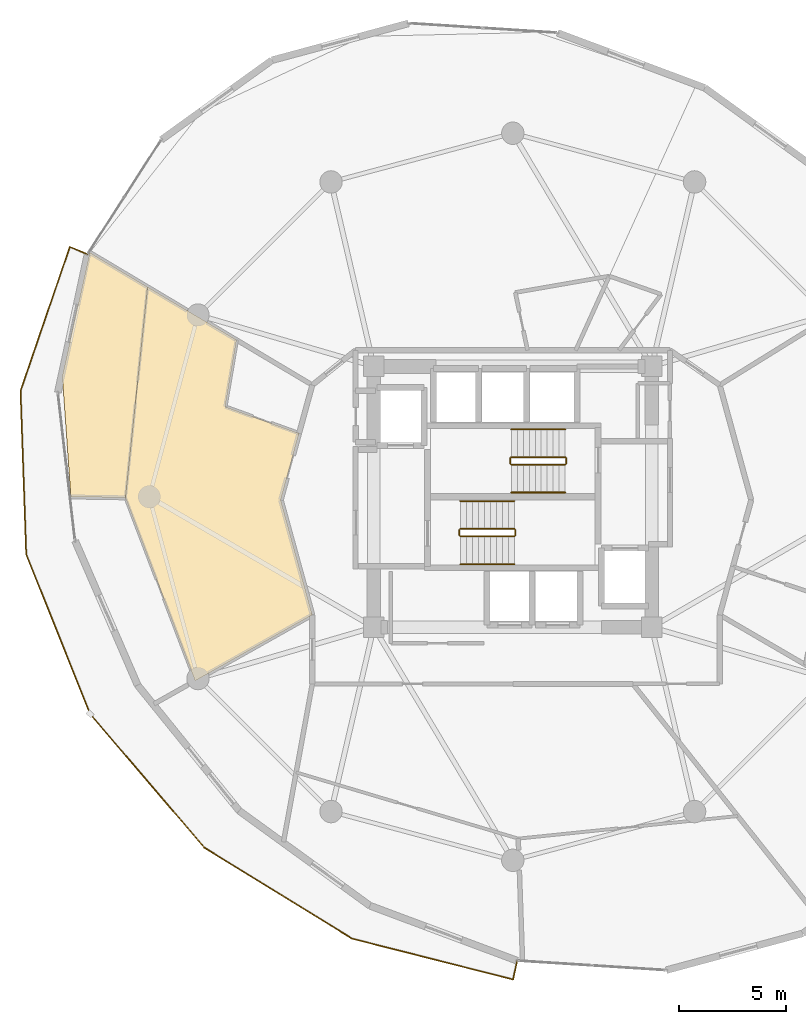
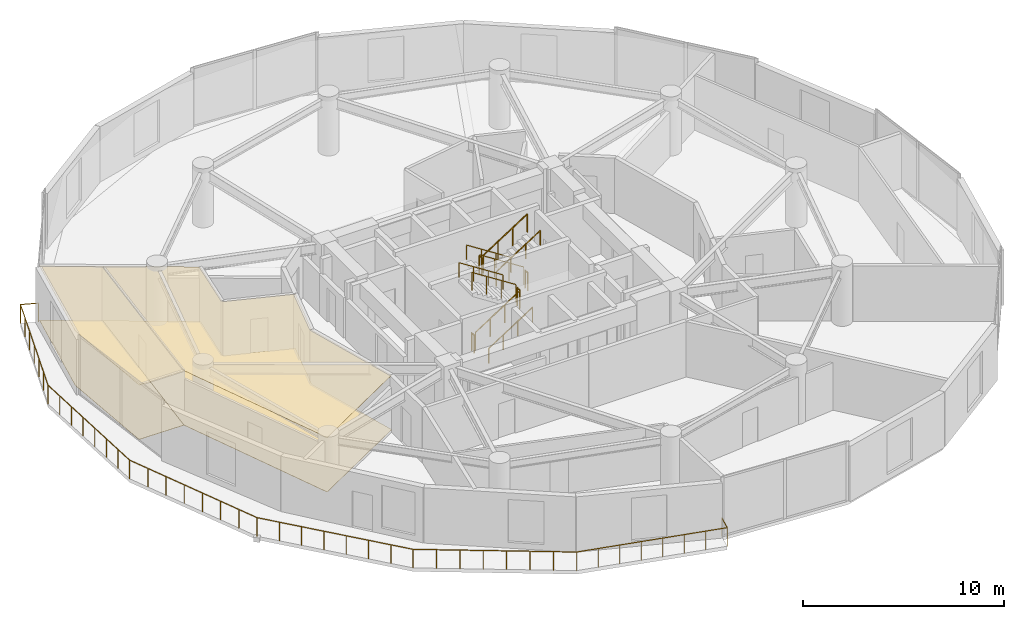
# One storey, part 20 of 21: 13 railings, 4 coverings.
"""IFC4 building model written with IfcOpenShell, lengths in metres."""

from ifc_helpers import new_model, si_unit, direction, frame, origin, origin_2d, place, context, subcontext, project, spatial, polyline, circle, outline, extrude, material, layer, layer_set, type_object, element, save


model = new_model("IFC4")

# Units and contexts
model_context = context("Model", 3, precision=1e-05, world=origin(), true_north=direction((0.0, 1.0)))
body_context = subcontext(model_context, "Body", "Model", "MODEL_VIEW")
ifc_project = project(units=[si_unit("LENGTHUNIT", "METRE"), si_unit("AREAUNIT", "SQUARE_METRE"), si_unit("VOLUMEUNIT", "CUBIC_METRE"), si_unit("PLANEANGLEUNIT", "RADIAN"), si_unit("MASSUNIT", "GRAM", prefix="KILO")], contexts=[model_context])

# Site, building, storey
site_placement = place(None, origin())
site = spatial("IfcSite", under=ifc_project, at=site_placement, CompositionType="ELEMENT")
building_placement = place(site_placement, origin())
building = spatial("IfcBuilding", under=site, at=building_placement, Name="Solvirekh Grand Hotel", CompositionType="ELEMENT")
storey_placement = place(building_placement, frame((0.0, 0.0, 142.199951171875)))
storey = spatial("IfcBuildingStorey", under=building, at=storey_placement, Name="L36", CompositionType="ELEMENT", Elevation=142.199951171875)

# Coverings
ifc_material_1 = material(Name="Acoustic Mineral Ceiling Tile")
ifc_layer_1 = layer(ifc_material_1, 0.02490234375)
ifc_layer_set_1 = layer_set([ifc_layer_1], Name="Acoustic Mineral Ceiling Tile")
covering_type_1 = type_object("IfcCoveringType", Name="Cov_Ceiling_Acoustic", PredefinedType="CEILING", material=ifc_layer_set_1)
covering_1_placement = place(storey_placement, frame((0.0, 0.0, 3.300048828125)))
element("IfcCovering", 1, at=covering_1_placement, inside=storey, type_object=covering_type_1, Name="L36 Executive Suite 3803 Living Room acoustic ceiling", PredefinedType="CEILING", context=body_context, shape_type="SweptSolid", body=[
    extrude(outline(polyline([(-13.448974609375, 4.2109375), (-12.9150390625, 7.33203125), (-17.0791015625, 9.81201171875), (-18.114013671875, -0.0390625), (-14.85595703125, -8.60595703125), (-9.3759765625, -5.52490234375), (-10.85009765625, -0.14990234375), (-9.9951171875, 2.967041015625), (-13.448974609375, 4.2109375)])), origin(), (0.0, 0.0, 1.0), 0.01806640625),
])
covering_2_placement = place(storey_placement, frame((0.0, 0.0, 3.300048828125)))
element("IfcCovering", 2, at=covering_2_placement, inside=storey, type_object=covering_type_1, Name="L36 Executive Suite 3803 Master Bedroom acoustic ceiling", PredefinedType="CEILING", context=body_context, shape_type="SweptSolid", body=[
    extrude(outline(polyline([(-19.784912109375, 11.423095703125), (-21.06689453125, 5.64501953125), (-20.666015625, 0.0), (-18.114013671875, -0.0390625), (-17.0791015625, 9.81201171875), (-19.784912109375, 11.423095703125)])), origin(), (0.0, 0.0, 1.0), 0.01806640625),
])
ifc_material_2 = material(Name="Porcelain Stoneware Flooring", Category="masonry")
ifc_layer_2 = layer(ifc_material_2, 0.030029296875)
ifc_layer_set_2 = layer_set([ifc_layer_2], Name="Porcelain Stoneware Flooring")
covering_type_2 = type_object("IfcCoveringType", Name="Cov_Floor_Stone", PredefinedType="FLOORING", material=ifc_layer_set_2)
covering_3_placement = place(storey_placement, origin())
element("IfcCovering", 3, at=covering_3_placement, inside=storey, type_object=covering_type_2, Name="L36 Executive Suite 3803 Living Room polished granite flooring", PredefinedType="FLOORING", context=body_context, shape_type="SweptSolid", body=[
    extrude(outline(polyline([(-13.448974609375, 4.2109375), (-12.9150390625, 7.33203125), (-17.0791015625, 9.81201171875), (-18.114013671875, -0.0390625), (-14.85595703125, -8.60595703125), (-9.3759765625, -5.52490234375), (-10.85009765625, -0.14990234375), (-9.9951171875, 2.967041015625), (-13.448974609375, 4.2109375)])), origin(), (0.0, 0.0, 1.0), 0.02001953125),
])
covering_4_placement = place(storey_placement, origin())
element("IfcCovering", 4, at=covering_4_placement, inside=storey, type_object=covering_type_2, Name="L36 Executive Suite 3803 Master Bedroom polished granite flooring", PredefinedType="FLOORING", context=body_context, shape_type="SweptSolid", body=[
    extrude(outline(polyline([(-19.784912109375, 11.423095703125), (-21.06689453125, 5.64501953125), (-20.666015625, 0.0), (-18.114013671875, -0.0390625), (-17.0791015625, 9.81201171875), (-19.784912109375, 11.423095703125)])), origin(), (0.0, 0.0, 1.0), 0.02001953125),
])

# Railings
ifc_material_3 = material(Name="Anodized Bronze Aluminium 6063-T6", Category="aluminium")
railing_type_1 = type_object("IfcRailingType", Name="Guard_ExtGlass_1150", PredefinedType="BALUSTRADE", material=ifc_material_3)
railing_1_placement = place(storey_placement, frame((-19.883056640625, 11.343994140625, 0.0)))
element("IfcRailing", 5, at=railing_1_placement, inside=storey, type_object=railing_type_1, Name="L36 balc perimeter glass balustrade", PredefinedType="BALUSTRADE", context=body_context, shape_type="SweptSolid", body=[
    extrude(circle(Radius=0.02392578125, at=origin_2d()), frame((0.0, 0.0, 1.1259765625), z_axis=(-0.925434583313, 0.378907418783, 0.0), x_axis=(-0.378907418783, -0.925434583313, 0.0)), (0.0, 0.0, 1.0), 0.900146484375),
    extrude(circle(Radius=0.02392578125, at=origin_2d()), frame((-0.8330078125, 0.341064453125, 1.1259765625), z_axis=(-0.324011068385, -0.946053290023, 0.0), x_axis=(0.946053290023, -0.324011068385, 0.0)), (0.0, 0.0, 1.0), 7.11376953125),
    extrude(circle(Radius=0.02392578125, at=origin_2d()), frame((-3.137939453125, -6.388916015625, 1.1259765625), z_axis=(0.034637096786, -0.999399955737, 0.0), x_axis=(0.999399955737, 0.034637096786, 0.0)), (0.0, 0.0, 1.0), 7.647705078125),
    extrude(circle(Radius=0.02392578125, at=origin_2d()), frame((-2.873046875, -14.031982421875, 1.1259765625), z_axis=(0.37158428516, -0.928399223945, 0.0), x_axis=(0.928399223945, 0.37158428516, 0.0)), (0.0, 0.0, 1.0), 8.0439453125),
    extrude(circle(Radius=0.02392578125, at=origin_2d()), frame((0.115966796875, -21.5, 1.1259765625), z_axis=(0.649643274943, -0.760239182969, 0.0), x_axis=(0.760239182969, 0.649643274943, 0.0)), (0.0, 0.0, 1.0), 8.218505859375),
    extrude(circle(Radius=0.02392578125, at=origin_2d()), frame((5.455078125, -27.748046875, 1.1259765625), z_axis=(0.85143026725, -0.524467825525, 0.0), x_axis=(0.524467825525, 0.85143026725, 0.0)), (0.0, 0.0, 1.0), 8.126220703125),
    extrude(circle(Radius=0.02392578125, at=origin_2d()), frame((12.3740234375, -32.010009765625, 1.1259765625), z_axis=(0.969303998063, -0.245865327649, 0.0), x_axis=(0.245865327649, 0.969303998063, 0.0)), (0.0, 0.0, 1.0), 7.76025390625),
    extrude(circle(Radius=0.02392578125, at=origin_2d()), frame((19.89599609375, -33.91796875, 1.1259765625), z_axis=(0.213567388654, 0.976928334374, 0.0), x_axis=(-0.976928334374, 0.213567388654, 0.0)), (0.0, 0.0, 1.0), 0.899658203125),
    extrude(circle(Radius=0.02099609375, at=origin_2d()), origin(), (0.0, 0.0, 1.0), 1.101806640625),
    extrude(circle(Radius=0.02099609375, at=origin_2d()), frame((-0.8330078125, 0.341064453125, 0.0)), (0.0, 0.0, 1.0), 1.101806640625),
    extrude(circle(Radius=0.02099609375, at=origin_2d()), frame((-1.21728515625, -0.780517578125, 0.0)), (0.0, 0.0, 1.0), 1.101806640625),
    extrude(circle(Radius=0.02099609375, at=origin_2d()), frame((-1.601318359375, -1.90234375, 0.0)), (0.0, 0.0, 1.0), 1.101806640625),
    extrude(circle(Radius=0.02099609375, at=origin_2d()), frame((-1.9853515625, -3.02392578125, 0.0)), (0.0, 0.0, 1.0), 1.101806640625),
    extrude(circle(Radius=0.02099609375, at=origin_2d()), frame((-2.36962890625, -4.1455078125, 0.0)), (0.0, 0.0, 1.0), 1.101806640625),
    extrude(circle(Radius=0.02099609375, at=origin_2d()), frame((-2.75390625, -5.267333984375, 0.0)), (0.0, 0.0, 1.0), 1.101806640625),
    extrude(circle(Radius=0.02099609375, at=origin_2d()), frame((-3.137939453125, -6.388916015625, 0.0)), (0.0, 0.0, 1.0), 1.101806640625),
    extrude(circle(Radius=0.02099609375, at=origin_2d()), frame((-3.10009765625, -7.480712890625, 0.0)), (0.0, 0.0, 1.0), 1.101806640625),
    extrude(circle(Radius=0.02099609375, at=origin_2d()), frame((-3.062255859375, -8.57275390625, 0.0)), (0.0, 0.0, 1.0), 1.101806640625),
    extrude(circle(Radius=0.02099609375, at=origin_2d()), frame((-3.0244140625, -9.66455078125, 0.0)), (0.0, 0.0, 1.0), 1.101806640625),
    extrude(circle(Radius=0.02099609375, at=origin_2d()), frame((-2.986572265625, -10.75634765625, 0.0)), (0.0, 0.0, 1.0), 1.101806640625),
    extrude(circle(Radius=0.02099609375, at=origin_2d()), frame((-2.94873046875, -11.84814453125, 0.0)), (0.0, 0.0, 1.0), 1.101806640625),
    extrude(circle(Radius=0.02099609375, at=origin_2d()), frame((-2.910888671875, -12.940185546875, 0.0)), (0.0, 0.0, 1.0), 1.101806640625),
    extrude(circle(Radius=0.02099609375, at=origin_2d()), frame((-2.873046875, -14.031982421875, 0.0)), (0.0, 0.0, 1.0), 1.101806640625),
    extrude(circle(Radius=0.02099609375, at=origin_2d()), frame((-2.446044921875, -15.098876953125, 0.0)), (0.0, 0.0, 1.0), 1.101806640625),
    extrude(circle(Radius=0.02099609375, at=origin_2d()), frame((-2.01904296875, -16.165771484375, 0.0)), (0.0, 0.0, 1.0), 1.101806640625),
    extrude(circle(Radius=0.02099609375, at=origin_2d()), frame((-1.592041015625, -17.232666015625, 0.0)), (0.0, 0.0, 1.0), 1.101806640625),
    extrude(circle(Radius=0.02099609375, at=origin_2d()), frame((-1.1650390625, -18.29931640625, 0.0)), (0.0, 0.0, 1.0), 1.101806640625),
    extrude(circle(Radius=0.02099609375, at=origin_2d()), frame((-0.738037109375, -19.3662109375, 0.0)), (0.0, 0.0, 1.0), 1.101806640625),
    extrude(circle(Radius=0.02099609375, at=origin_2d()), frame((-0.31103515625, -20.43310546875, 0.0)), (0.0, 0.0, 1.0), 1.101806640625),
    extrude(circle(Radius=0.02099609375, at=origin_2d()), frame((0.115966796875, -21.5, 0.0)), (0.0, 0.0, 1.0), 1.101806640625),
    extrude(circle(Radius=0.02099609375, at=origin_2d()), frame((0.878662109375, -22.392578125, 0.0)), (0.0, 0.0, 1.0), 1.101806640625),
    extrude(circle(Radius=0.02099609375, at=origin_2d()), frame((1.641357421875, -23.28515625, 0.0)), (0.0, 0.0, 1.0), 1.101806640625),
    extrude(circle(Radius=0.02099609375, at=origin_2d()), frame((2.404052734375, -24.177734375, 0.0)), (0.0, 0.0, 1.0), 1.101806640625),
    extrude(circle(Radius=0.02099609375, at=origin_2d()), frame((3.1669921875, -25.0703125, 0.0)), (0.0, 0.0, 1.0), 1.101806640625),
    extrude(circle(Radius=0.02099609375, at=origin_2d()), frame((3.9296875, -25.962890625, 0.0)), (0.0, 0.0, 1.0), 1.101806640625),
    extrude(circle(Radius=0.02099609375, at=origin_2d()), frame((4.6923828125, -26.85546875, 0.0)), (0.0, 0.0, 1.0), 1.101806640625),
    extrude(circle(Radius=0.02099609375, at=origin_2d()), frame((5.455078125, -27.748046875, 0.0)), (0.0, 0.0, 1.0), 1.101806640625),
    extrude(circle(Radius=0.02099609375, at=origin_2d()), frame((6.443603515625, -28.35693359375, 0.0)), (0.0, 0.0, 1.0), 1.101806640625),
    extrude(circle(Radius=0.02099609375, at=origin_2d()), frame((7.431884765625, -28.9658203125, 0.0)), (0.0, 0.0, 1.0), 1.101806640625),
    extrude(circle(Radius=0.02099609375, at=origin_2d()), frame((8.42041015625, -29.57470703125, 0.0)), (0.0, 0.0, 1.0), 1.101806640625),
    extrude(circle(Radius=0.02099609375, at=origin_2d()), frame((9.40869140625, -30.183349609375, 0.0)), (0.0, 0.0, 1.0), 1.101806640625),
    extrude(circle(Radius=0.02099609375, at=origin_2d()), frame((10.397216796875, -30.792236328125, 0.0)), (0.0, 0.0, 1.0), 1.101806640625),
    extrude(circle(Radius=0.02099609375, at=origin_2d()), frame((11.385498046875, -31.401123046875, 0.0)), (0.0, 0.0, 1.0), 1.101806640625),
    extrude(circle(Radius=0.02099609375, at=origin_2d()), frame((12.3740234375, -32.010009765625, 0.0)), (0.0, 0.0, 1.0), 1.101806640625),
    extrude(circle(Radius=0.02099609375, at=origin_2d()), frame((13.448486328125, -32.282470703125, 0.0)), (0.0, 0.0, 1.0), 1.101806640625),
    extrude(circle(Radius=0.02099609375, at=origin_2d()), frame((14.523193359375, -32.55517578125, 0.0)), (0.0, 0.0, 1.0), 1.101806640625),
    extrude(circle(Radius=0.02099609375, at=origin_2d()), frame((15.59765625, -32.82763671875, 0.0)), (0.0, 0.0, 1.0), 1.101806640625),
    extrude(circle(Radius=0.02099609375, at=origin_2d()), frame((16.67236328125, -33.100341796875, 0.0)), (0.0, 0.0, 1.0), 1.101806640625),
    extrude(circle(Radius=0.02099609375, at=origin_2d()), frame((17.746826171875, -33.372802734375, 0.0)), (0.0, 0.0, 1.0), 1.101806640625),
    extrude(circle(Radius=0.02099609375, at=origin_2d()), frame((18.821533203125, -33.6455078125, 0.0)), (0.0, 0.0, 1.0), 1.101806640625),
    extrude(circle(Radius=0.02099609375, at=origin_2d()), frame((19.89599609375, -33.91796875, 0.0)), (0.0, 0.0, 1.0), 1.101806640625),
    extrude(circle(Radius=0.02099609375, at=origin_2d()), frame((20.088134765625, -33.0390625, 0.0)), (0.0, 0.0, 1.0), 1.101806640625),
])
ifc_material_4 = material(Name="Steel S355", Category="steel")
railing_type_2 = type_object("IfcRailingType", Name="Guard_Stair_1100", PredefinedType="GUARDRAIL", material=ifc_material_4)
railing_2_placement = place(storey_placement, frame((-2.449951171875, -1.85009765625, 0.179931640625)))
element("IfcRailing", 6, at=railing_2_placement, inside=storey, type_object=railing_type_2, Name="L36 ST-1 stair guard 1", PredefinedType="GUARDRAIL", context=body_context, shape_type="SweptSolid", body=[
    extrude(circle(Radius=0.02392578125, at=origin_2d()), frame((0.0, 0.0, 1.076171875), z_axis=(0.841162588446, 0.0, 0.540782303519), x_axis=(0.0, 1.0, 0.0)), (0.0, 0.0, 1.0), 2.995849609375),
    extrude(circle(Radius=0.02099609375, at=origin_2d()), origin(), (0.0, 0.0, 1.0), 1.052001953125),
    extrude(circle(Radius=0.02099609375, at=origin_2d()), frame((0.840087890625, 0.0, 0.5400390625)), (0.0, 0.0, 1.0), 1.052001953125),
    extrude(circle(Radius=0.02099609375, at=origin_2d()), frame((1.679931640625, 0.0, 1.080078125)), (0.0, 0.0, 1.0), 1.052001953125),
    extrude(circle(Radius=0.02099609375, at=origin_2d()), frame((2.52001953125, 0.0, 1.6201171875)), (0.0, 0.0, 1.0), 1.052001953125),
])
railing_3_placement = place(storey_placement, frame((0.1201171875, -1.800048828125, 1.800048828125)))
element("IfcRailing", 7, at=railing_3_placement, inside=storey, type_object=railing_type_2, Name="L36 ST-1 stair guard 2", PredefinedType="GUARDRAIL", context=body_context, shape_type="SweptSolid", body=[
    extrude(circle(Radius=0.02392578125, at=origin_2d()), frame((0.0, 0.0, 1.076171875), z_axis=(0.0, 1.0, 0.0), x_axis=(-1.0, 0.0, 0.0)), (0.0, 0.0, 1.0), 0.25),
    extrude(circle(Radius=0.02099609375, at=origin_2d()), origin(), (0.0, 0.0, 1.0), 1.052001953125),
    extrude(circle(Radius=0.02099609375, at=origin_2d()), frame((0.0, 0.25, 0.0)), (0.0, 0.0, 1.0), 1.052001953125),
])
railing_4_placement = place(storey_placement, frame((0.070068359375, -1.5, 1.97998046875)))
element("IfcRailing", 8, at=railing_4_placement, inside=storey, type_object=railing_type_2, Name="L36 ST-1 stair guard 3", PredefinedType="GUARDRAIL", context=body_context, shape_type="SweptSolid", body=[
    extrude(circle(Radius=0.02392578125, at=origin_2d()), frame((0.0, 0.0, 1.076171875), z_axis=(-0.841162588446, 0.0, 0.540782303519), x_axis=(0.0, -1.0, 0.0)), (0.0, 0.0, 1.0), 2.995849609375),
    extrude(circle(Radius=0.02099609375, at=origin_2d()), origin(), (0.0, 0.0, 1.0), 1.052001953125),
    extrude(circle(Radius=0.02099609375, at=origin_2d()), frame((-0.840087890625, 0.0, 0.5400390625)), (0.0, 0.0, 1.0), 1.052001953125),
    extrude(circle(Radius=0.02099609375, at=origin_2d()), frame((-1.679931640625, 0.0, 1.080078125)), (0.0, 0.0, 1.0), 1.052001953125),
    extrude(circle(Radius=0.02099609375, at=origin_2d()), frame((-2.52001953125, 0.0, 1.6201171875)), (0.0, 0.0, 1.0), 1.052001953125),
])
railing_5_placement = place(storey_placement, frame((-2.5, -1.800048828125, 0.0)))
element("IfcRailing", 9, at=railing_5_placement, inside=storey, type_object=railing_type_2, Name="L36 ST-1 stair guard 4", PredefinedType="GUARDRAIL", context=body_context, shape_type="SweptSolid", body=[
    extrude(circle(Radius=0.02392578125, at=origin_2d()), frame((0.0, 0.0, 1.076171875), z_axis=(0.0, 1.0, 0.0), x_axis=(-1.0, 0.0, 0.0)), (0.0, 0.0, 1.0), 0.25),
    extrude(circle(Radius=0.02099609375, at=origin_2d()), origin(), (0.0, 0.0, 1.0), 1.052001953125),
    extrude(circle(Radius=0.02099609375, at=origin_2d()), frame((0.0, 0.25, 0.0)), (0.0, 0.0, 1.0), 1.052001953125),
])
railing_6_placement = place(storey_placement, frame((2.449951171875, 1.85009765625, 0.179931640625)))
element("IfcRailing", 10, at=railing_6_placement, inside=storey, type_object=railing_type_2, Name="L36 ST-2 stair guard 1", PredefinedType="GUARDRAIL", context=body_context, shape_type="SweptSolid", body=[
    extrude(circle(Radius=0.02392578125, at=origin_2d()), frame((0.0, 0.0, 1.076171875), z_axis=(-0.841162588446, 0.0, 0.540782303519), x_axis=(0.0, -1.0, 0.0)), (0.0, 0.0, 1.0), 2.995849609375),
    extrude(circle(Radius=0.02099609375, at=origin_2d()), origin(), (0.0, 0.0, 1.0), 1.052001953125),
    extrude(circle(Radius=0.02099609375, at=origin_2d()), frame((-0.840087890625, 0.0, 0.5400390625)), (0.0, 0.0, 1.0), 1.052001953125),
    extrude(circle(Radius=0.02099609375, at=origin_2d()), frame((-1.679931640625, 0.0, 1.080078125)), (0.0, 0.0, 1.0), 1.052001953125),
    extrude(circle(Radius=0.02099609375, at=origin_2d()), frame((-2.52001953125, 0.0, 1.6201171875)), (0.0, 0.0, 1.0), 1.052001953125),
])
railing_7_placement = place(storey_placement, frame((-0.1201171875, 1.800048828125, 1.800048828125)))
element("IfcRailing", 11, at=railing_7_placement, inside=storey, type_object=railing_type_2, Name="L36 ST-2 stair guard 2", PredefinedType="GUARDRAIL", context=body_context, shape_type="SweptSolid", body=[
    extrude(circle(Radius=0.02392578125, at=origin_2d()), frame((0.0, 0.0, 1.076171875), z_axis=(0.0, -1.0, 0.0), x_axis=(1.0, 0.0, 0.0)), (0.0, 0.0, 1.0), 0.25),
    extrude(circle(Radius=0.02099609375, at=origin_2d()), origin(), (0.0, 0.0, 1.0), 1.052001953125),
    extrude(circle(Radius=0.02099609375, at=origin_2d()), frame((0.0, -0.25, 0.0)), (0.0, 0.0, 1.0), 1.052001953125),
])
railing_8_placement = place(storey_placement, frame((-0.070068359375, 1.5, 1.97998046875)))
element("IfcRailing", 12, at=railing_8_placement, inside=storey, type_object=railing_type_2, Name="L36 ST-2 stair guard 3", PredefinedType="GUARDRAIL", context=body_context, shape_type="SweptSolid", body=[
    extrude(circle(Radius=0.02392578125, at=origin_2d()), frame((0.0, 0.0, 1.076171875), z_axis=(0.841162588446, 0.0, 0.540782303519), x_axis=(0.0, 1.0, 0.0)), (0.0, 0.0, 1.0), 2.995849609375),
    extrude(circle(Radius=0.02099609375, at=origin_2d()), origin(), (0.0, 0.0, 1.0), 1.052001953125),
    extrude(circle(Radius=0.02099609375, at=origin_2d()), frame((0.840087890625, 0.0, 0.5400390625)), (0.0, 0.0, 1.0), 1.052001953125),
    extrude(circle(Radius=0.02099609375, at=origin_2d()), frame((1.679931640625, 0.0, 1.080078125)), (0.0, 0.0, 1.0), 1.052001953125),
    extrude(circle(Radius=0.02099609375, at=origin_2d()), frame((2.52001953125, 0.0, 1.6201171875)), (0.0, 0.0, 1.0), 1.052001953125),
])
railing_9_placement = place(storey_placement, frame((2.5, 1.800048828125, 0.0)))
element("IfcRailing", 13, at=railing_9_placement, inside=storey, type_object=railing_type_2, Name="L36 ST-2 stair guard 4", PredefinedType="GUARDRAIL", context=body_context, shape_type="SweptSolid", body=[
    extrude(circle(Radius=0.02392578125, at=origin_2d()), frame((0.0, 0.0, 1.076171875), z_axis=(0.0, -1.0, 0.0), x_axis=(1.0, 0.0, 0.0)), (0.0, 0.0, 1.0), 0.25),
    extrude(circle(Radius=0.02099609375, at=origin_2d()), origin(), (0.0, 0.0, 1.0), 1.052001953125),
    extrude(circle(Radius=0.02099609375, at=origin_2d()), frame((0.0, -0.25, 0.0)), (0.0, 0.0, 1.0), 1.052001953125),
])
railing_type_3 = type_object("IfcRailingType", Name="Handrail_Wall_900", PredefinedType="HANDRAIL", material=ifc_material_3)
railing_10_placement = place(storey_placement, frame((-2.449951171875, -3.14990234375, 0.179931640625)))
element("IfcRailing", 14, at=railing_10_placement, inside=storey, type_object=railing_type_3, Name="L36 ST-1 stair handrail 1", PredefinedType="HANDRAIL", context=body_context, shape_type="SweptSolid", body=[
    extrude(circle(Radius=0.02392578125, at=origin_2d()), frame((0.0, 0.0, 0.8759765625), z_axis=(0.841162588446, 0.0, 0.540782303519), x_axis=(0.0, 1.0, 0.0)), (0.0, 0.0, 1.0), 2.995849609375),
    extrude(circle(Radius=0.02099609375, at=origin_2d()), origin(), (0.0, 0.0, 1.0), 0.851806640625),
    extrude(circle(Radius=0.02099609375, at=origin_2d()), frame((0.840087890625, 0.0, 0.5400390625)), (0.0, 0.0, 1.0), 0.851806640625),
    extrude(circle(Radius=0.02099609375, at=origin_2d()), frame((1.679931640625, 0.0, 1.080078125)), (0.0, 0.0, 1.0), 0.851806640625),
    extrude(circle(Radius=0.02099609375, at=origin_2d()), frame((2.52001953125, 0.0, 1.6201171875)), (0.0, 0.0, 1.0), 0.851806640625),
])
for number, where, name in (
    (15, (0.070068359375, -0.199951171875, 1.97998046875), "L36 ST-1 stair handrail 2"),
    (16, (2.449951171875, 3.14990234375, 0.179931640625), "L36 ST-2 stair handrail 1"),
):
    element("IfcRailing", number, at=place(storey_placement, frame(where)), inside=storey, type_object=railing_type_3, Name=name, PredefinedType="HANDRAIL", context=body_context, shape_type="SweptSolid", body=[
        extrude(circle(Radius=0.02392578125, at=origin_2d()), frame((0.0, 0.0, 0.8759765625), z_axis=(-0.841162588446, 0.0, 0.540782303519), x_axis=(0.0, -1.0, 0.0)), (0.0, 0.0, 1.0), 2.995849609375),
        extrude(circle(Radius=0.02099609375, at=origin_2d()), origin(), (0.0, 0.0, 1.0), 0.851806640625),
        extrude(circle(Radius=0.02099609375, at=origin_2d()), frame((-0.840087890625, 0.0, 0.5400390625)), (0.0, 0.0, 1.0), 0.851806640625),
        extrude(circle(Radius=0.02099609375, at=origin_2d()), frame((-1.679931640625, 0.0, 1.080078125)), (0.0, 0.0, 1.0), 0.851806640625),
        extrude(circle(Radius=0.02099609375, at=origin_2d()), frame((-2.52001953125, 0.0, 1.6201171875)), (0.0, 0.0, 1.0), 0.851806640625),
    ])
railing_11_placement = place(storey_placement, frame((-0.070068359375, 0.199951171875, 1.97998046875)))
element("IfcRailing", 17, at=railing_11_placement, inside=storey, type_object=railing_type_3, Name="L36 ST-2 stair handrail 2", PredefinedType="HANDRAIL", context=body_context, shape_type="SweptSolid", body=[
    extrude(circle(Radius=0.02392578125, at=origin_2d()), frame((0.0, 0.0, 0.8759765625), z_axis=(0.841162588446, 0.0, 0.540782303519), x_axis=(0.0, 1.0, 0.0)), (0.0, 0.0, 1.0), 2.995849609375),
    extrude(circle(Radius=0.02099609375, at=origin_2d()), origin(), (0.0, 0.0, 1.0), 0.851806640625),
    extrude(circle(Radius=0.02099609375, at=origin_2d()), frame((0.840087890625, 0.0, 0.5400390625)), (0.0, 0.0, 1.0), 0.851806640625),
    extrude(circle(Radius=0.02099609375, at=origin_2d()), frame((1.679931640625, 0.0, 1.080078125)), (0.0, 0.0, 1.0), 0.851806640625),
    extrude(circle(Radius=0.02099609375, at=origin_2d()), frame((2.52001953125, 0.0, 1.6201171875)), (0.0, 0.0, 1.0), 0.851806640625),
])

save(model, "model.ifc")
